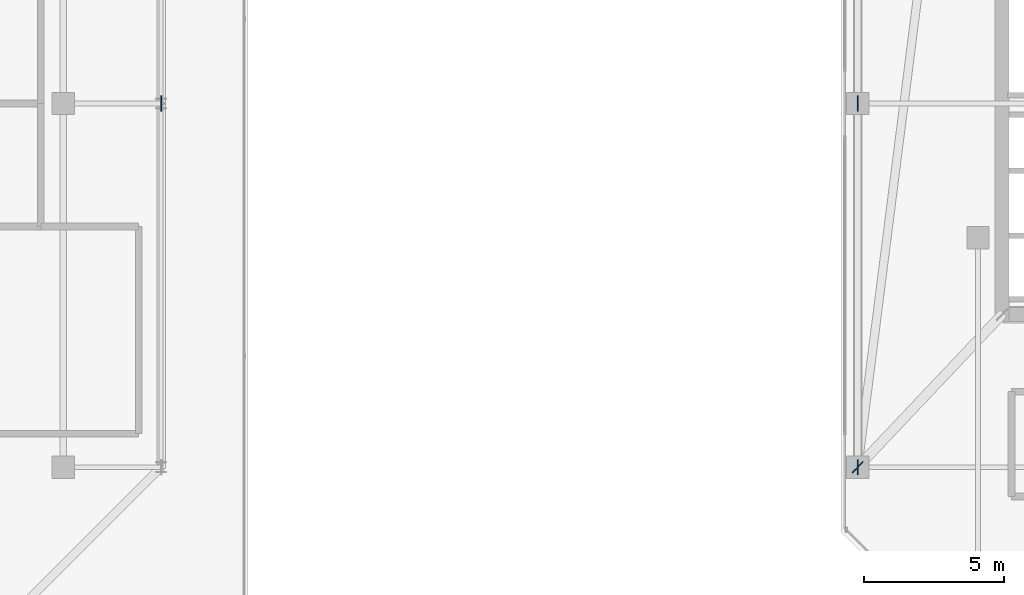
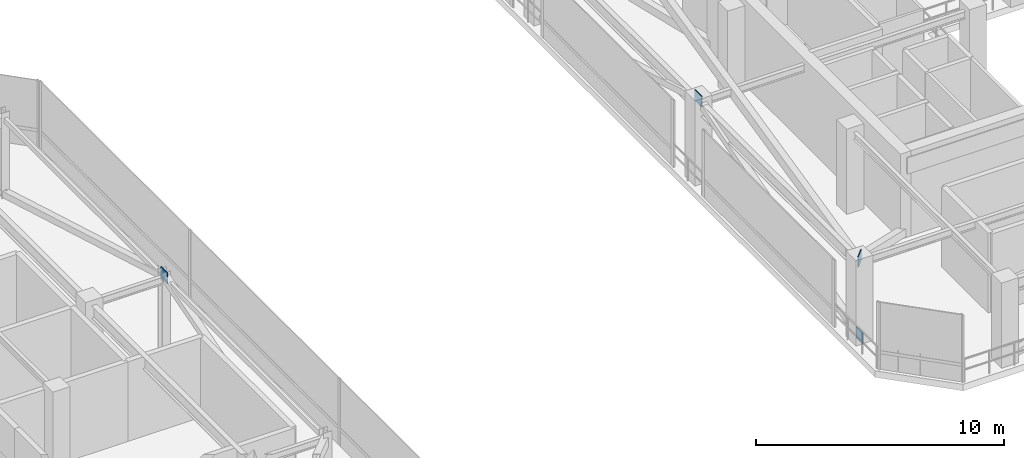
# One storey, part 37 of 47: 4 plates.
"""IFC4 building model written with IfcOpenShell, lengths in metres."""

from ifc_helpers import new_model, si_unit, direction, frame, origin, origin_2d, place, context, subcontext, project, spatial, rectangle, extrude, material, layer, layer_set, type_object, element, save


model = new_model("IFC4")

# Units and contexts
model_context = context("Model", 3, precision=1e-05, world=origin(), true_north=direction((0.0, 1.0)))
body_context = subcontext(model_context, "Body", "Model", "MODEL_VIEW")
ifc_project = project(units=[si_unit("LENGTHUNIT", "METRE"), si_unit("AREAUNIT", "SQUARE_METRE"), si_unit("VOLUMEUNIT", "CUBIC_METRE"), si_unit("PLANEANGLEUNIT", "RADIAN"), si_unit("MASSUNIT", "GRAM", prefix="KILO")], contexts=[model_context])

# Site, building, storey
site_placement = place(None, origin())
site = spatial("IfcSite", under=ifc_project, at=site_placement, CompositionType="ELEMENT")
building_placement = place(site_placement, origin())
building = spatial("IfcBuilding", under=site, at=building_placement, Name="Thornwick Lancets Civic Towers", CompositionType="ELEMENT")
storey_placement = place(building_placement, frame((0.0, 0.0, 279.89990234375)))
storey = spatial("IfcBuildingStorey", under=building, at=storey_placement, Name="C01", CompositionType="ELEMENT", Elevation=279.89990234375)

# Plates
ifc_material = material(Name="Steel S460M", Category="steel")
ifc_layer = layer(ifc_material, 0.0400390625, Name="Steel S460M")
ifc_layer_set = layer_set([ifc_layer], Name="Steel S460M")
plate_type = type_object("IfcPlateType", Name="PLT_GUSSET_40", PredefinedType="USERDEFINED", material=ifc_layer_set)
for number, where, z_axis, x_axis, name in (
    (1, (46.300048828125, 27.0, 3.6650390625), (0.0, 0.0, 1.0), (0.0, 1.0, 0.0), "C01 Brace Connection Gusset Plate 0425"),
    (2, (71.199951171875, 14.0, -0.125), (0.0, 0.0, 1.0), (0.0, 1.0, 0.0), "C01 Brace Connection Gusset Plate 0447"),
    (3, (71.199951171875, 27.0, 3.6650390625), (0.0, 0.0, 1.0), (0.0, 1.0, 0.0), "C01 Brace Connection Gusset Plate 0448"),
    (4, (71.199951171875, 14.0, 3.6650390625), (0.0, 0.0, 1.0), (-0.686833846544, -0.726814465487, 0.0), "C01 Brace Connection Gusset Plate 0458"),
):
    element("IfcPlate", number, at=place(storey_placement, frame(where, z_axis=z_axis, x_axis=x_axis)), inside=storey, type_object=plate_type, Name=name, ObjectType="GUSSET_PLATE", PredefinedType="USERDEFINED", context=body_context, shape_type="SweptSolid", body=[
        extrude(rectangle(XDim=0.550048828125, YDim=0.0400390625, at=origin_2d()), origin(), (0.0, 0.0, 1.0), 0.550048828125),
    ])

save(model, "model.ifc")
